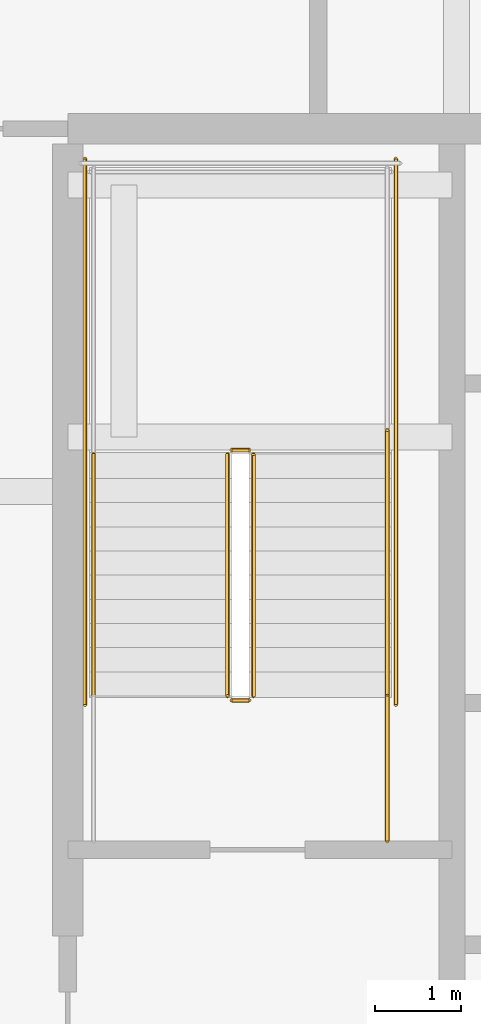
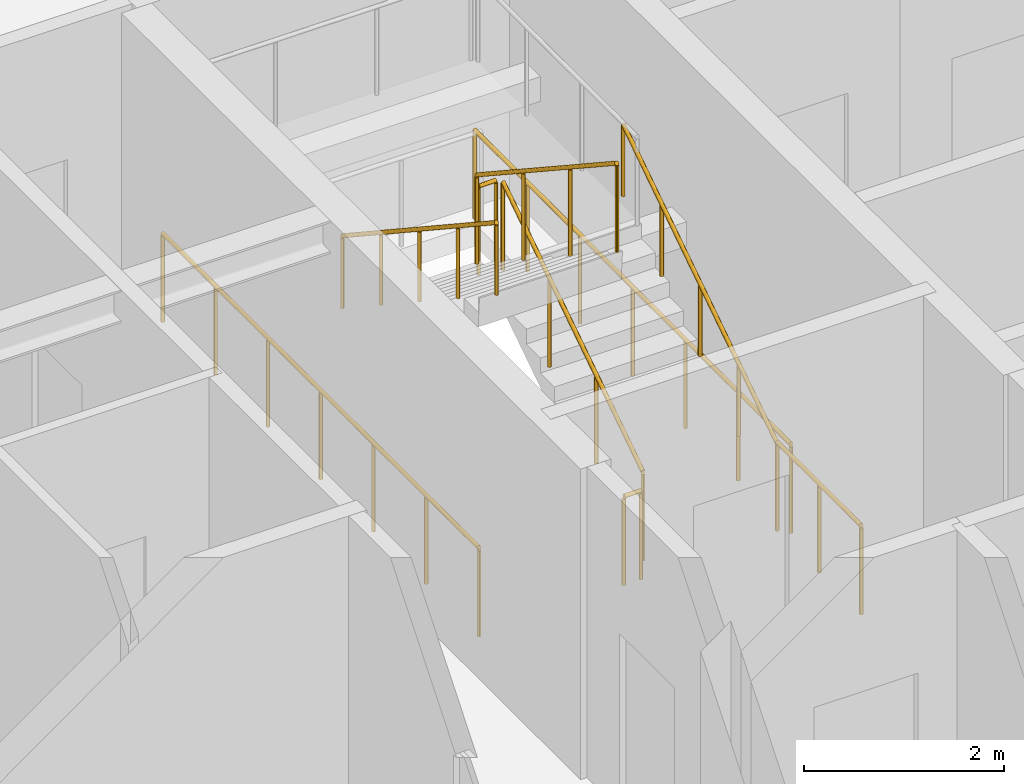
# One storey, part 34 of 37: 9 railings.
"""IFC4 building model written with IfcOpenShell, lengths in metres."""

import ifcopenshell
import ifcopenshell.guid

model = None  # the IFC model being written
_history = None  # IfcOwnerHistory: only IFC2X3 demands one
_inside = {}  # id of a spatial element -> (the spatial element, [elements in it])
_under = {}  # id of a project, library or spatial element -> (it, [spatial elements below it])
_declared = {}  # id of a project -> (the project, [libraries it declares])
_typed = {}  # id of a type object -> (the type object, [elements of that type])
_made_of = {}  # id of a material, layer set ... -> (it, [elements and type objects made of it])


def new_model(schema):
    """Start an empty IFC model of exactly this schema.

    Asked for "IFC4X3", IfcOpenShell would pick the latest addendum, in which some entities
    have other attributes; the version numbers below select the first issue.
    IFC2X3 requires an IfcOwnerHistory on every rooted entity: one is made here for all.
    """
    global model, _history
    if schema == "IFC4X3":
        model = ifcopenshell.file(schema_version=(4, 3, 0, 0))
    else:
        model = ifcopenshell.file(schema=schema)
    _inside.clear()
    _under.clear()
    _declared.clear()
    _typed.clear()
    _made_of.clear()
    _history = None
    if model.schema == "IFC2X3":
        org = make("IfcOrganization", Name="unknown")
        user = make(
            "IfcPersonAndOrganization",
            ThePerson=make("IfcPerson", FamilyName="unknown"),
            TheOrganization=org,
        )
        app = make(
            "IfcApplication",
            ApplicationDeveloper=org,
            Version="unknown",
            ApplicationFullName="unknown",
            ApplicationIdentifier="unknown",
        )
        _history = make(
            "IfcOwnerHistory",
            OwningUser=user,
            OwningApplication=app,
            ChangeAction="ADDED",
            CreationDate=0,
        )
    return model


def make(cls, **values):
    """One entity of the class cls with the attributes given. An attribute that is None is left unset."""
    return model.create_entity(
        cls, **{name: value for name, value in values.items() if value is not None}
    )


def rooted(cls, **values):
    """An entity with a GlobalId (a new one), such as an element, a storey or a relation."""
    return make(cls, GlobalId=ifcopenshell.guid.new(), OwnerHistory=_history, **values)


def si_unit(unit_type, name, prefix=None):
    """IfcSIUnit, for example si_unit("LENGTHUNIT", "METRE", prefix="MILLI")."""
    return make("IfcSIUnit", UnitType=unit_type, Prefix=prefix, Name=name)


def assignment(units):
    """IfcUnitAssignment: the units of a project."""
    return None if units is None else make("IfcUnitAssignment", Units=units)


def point(xyz):
    """IfcCartesianPoint."""
    return None if xyz is None else make("IfcCartesianPoint", Coordinates=xyz)


def direction(xyz):
    """IfcDirection."""
    return None if xyz is None else make("IfcDirection", DirectionRatios=xyz)


def frame(location, z_axis=None, x_axis=None):
    """IfcAxis2Placement3D, a coordinate frame: its origin and axes. An axis left out is left unset."""
    return make(
        "IfcAxis2Placement3D",
        Location=point(location),
        Axis=direction(z_axis),
        RefDirection=direction(x_axis),
    )


def frame_2d(location, x_axis=None):
    """IfcAxis2Placement2D, a coordinate frame in the plane: its origin and x axis."""
    return make(
        "IfcAxis2Placement2D", Location=point(location), RefDirection=direction(x_axis)
    )


def origin():
    """The frame at (0, 0, 0) with its axes left unset."""
    return frame((0.0, 0.0, 0.0))


def origin_2d():
    """The frame at (0, 0) in the plane with its x axis left unset."""
    return frame_2d((0.0, 0.0))


def place(relative_to, where):
    """IfcLocalPlacement: puts the frame where relative to a parent placement (None: the world)."""
    return make(
        "IfcLocalPlacement", PlacementRelTo=relative_to, RelativePlacement=where
    )


def context(
    kind, dimensions, precision=None, world=None, true_north=None, identifier=None
):
    """IfcGeometricRepresentationContext, for example the 3D "Model" context."""
    return make(
        "IfcGeometricRepresentationContext",
        ContextIdentifier=identifier,
        ContextType=kind,
        CoordinateSpaceDimension=dimensions,
        Precision=precision,
        WorldCoordinateSystem=world,
        TrueNorth=true_north,
    )


def subcontext(parent, identifier, kind, view, scale=None):
    """IfcGeometricRepresentationSubContext, for example "Body" below "Model"."""
    return make(
        "IfcGeometricRepresentationSubContext",
        ContextIdentifier=identifier,
        ContextType=kind,
        ParentContext=parent,
        TargetScale=scale,
        TargetView=view,
    )


def project(units=None, contexts=None):
    """IfcProject with its units and contexts."""
    return rooted(
        "IfcProject",
        Name="project",
        RepresentationContexts=contexts,
        UnitsInContext=assignment(units),
    )


def spatial(cls, under=None, at=None, **own):
    """A site, building, storey or space (cls), placed at a placement, below another one or the project."""
    s = rooted(cls, ObjectPlacement=at, **own)
    if under is not None:
        _under.setdefault(under.id(), (under, []))[1].append(s)
    return s


def profile(cls, at=None, kind="AREA", **sizes):
    """A parametric profile (cls). Its sizes go by their IFC names, for example OverallWidth=200.0."""
    return make(cls, ProfileType=kind, Position=at, **sizes)


def circle(**sizes):
    """IfcCircleProfileDef."""
    return profile("IfcCircleProfileDef", **sizes)


def extrude(swept, where, along, depth):
    """IfcExtrudedAreaSolid: the profile swept, set in the frame where, extruded along a direction by depth."""
    return make(
        "IfcExtrudedAreaSolid",
        SweptArea=swept,
        Position=where,
        ExtrudedDirection=direction(along),
        Depth=depth,
    )


def shape(context_of_items, identifier, shape_type, items):
    """IfcShapeRepresentation: the items that make up one representation, for example the "Body"."""
    return make(
        "IfcShapeRepresentation",
        ContextOfItems=context_of_items,
        RepresentationIdentifier=identifier,
        RepresentationType=shape_type,
        Items=items,
    )


def material(Name=None, Category=None):
    """IfcMaterial."""
    return make("IfcMaterial", Name=Name, Category=Category)


def made_of(thing, what):
    """Note that an element or type object is made of a material, layer set ...; save() writes the relation."""
    if what is not None:
        _made_of.setdefault(what.id(), (what, []))[1].append(thing)
    return thing


def type_object(cls, material=None, **own):
    """A type object (cls), such as IfcWallType, which elements share."""
    return made_of(rooted(cls, **own), material)


def element(
    cls,
    number,
    at=None,
    inside=None,
    cuts=None,
    type_object=None,
    material=None,
    context=None,
    identifier="Body",
    shape_type=None,
    held_by="IfcProductDefinitionShape",
    body=None,
    shapes=None,
    **own,
):
    """One element of the class cls, such as IfcWall. Its Tag is "e" and its number.

    at: its placement. inside: the storey or other place that contains it. cuts: it is an
    opening in that element (IfcRelVoidsElement). A single representation is given by context,
    identifier, shape_type and body (its items); several are given by shapes. held_by: the class
    of the entity that holds the representations. save() writes the other relations.
    """
    e = rooted(cls, Tag="e%d" % number, ObjectPlacement=at, **own)
    if body is not None:
        shapes = [shape(context, identifier, shape_type, body)]
    if shapes is not None:
        e.Representation = make(held_by, Representations=shapes)
    if inside is not None:
        _inside.setdefault(inside.id(), (inside, []))[1].append(e)
    if cuts is not None:
        rooted(
            "IfcRelVoidsElement", RelatingBuildingElement=cuts, RelatedOpeningElement=e
        )
    if type_object is not None:
        _typed.setdefault(type_object.id(), (type_object, []))[1].append(e)
    return made_of(e, material)


def aggregate(whole, parts):
    """IfcRelAggregates: a whole, such as a stair, and the parts it consists of."""
    return rooted("IfcRelAggregates", RelatingObject=whole, RelatedObjects=parts)


def save(model, path):
    """Write the relations noted so far, then the file.

    IfcRelAggregates (storeys below a building ...), IfcRelContainedInSpatialStructure (elements
    in a storey), IfcRelDefinesByType, IfcRelAssociatesMaterial and IfcRelDeclares: one each for
    every whole, place, type object, material and project.
    """
    for whole, parts in _under.values():
        aggregate(whole, parts)
    for where, things in _inside.values():
        rooted(
            "IfcRelContainedInSpatialStructure",
            RelatedElements=things,
            RelatingStructure=where,
        )
    for kind, things in _typed.values():
        rooted("IfcRelDefinesByType", RelatedObjects=things, RelatingType=kind)
    for what, things in _made_of.values():
        rooted("IfcRelAssociatesMaterial", RelatedObjects=things, RelatingMaterial=what)
    for by, libraries in _declared.values():
        rooted("IfcRelDeclares", RelatingContext=by, RelatedDefinitions=libraries)
    model.write(path)


model = new_model("IFC4")

# Units and contexts
model_context = context("Model", 3, precision=1e-05, world=origin(), true_north=direction((0.0, 1.0)))
body_context = subcontext(model_context, "Body", "Model", "MODEL_VIEW")
ifc_project = project(units=[si_unit("LENGTHUNIT", "METRE"), si_unit("AREAUNIT", "SQUARE_METRE"), si_unit("VOLUMEUNIT", "CUBIC_METRE"), si_unit("PLANEANGLEUNIT", "RADIAN"), si_unit("MASSUNIT", "GRAM", prefix="KILO")], contexts=[model_context])

# Site, building, storey
site_placement = place(None, origin())
site = spatial("IfcSite", under=ifc_project, at=site_placement, CompositionType="ELEMENT")
building_placement = place(site_placement, origin())
building = spatial("IfcBuilding", under=site, at=building_placement, Name="Serunith Strait Residences", CompositionType="ELEMENT")
storey_placement = place(building_placement, frame((0.0, 0.0, 305.60009765625)))
storey = spatial("IfcBuildingStorey", under=building, at=storey_placement, Name="L76", CompositionType="ELEMENT", Elevation=305.60009765625)

# Railings
ifc_material = material(Name="Brushed stainless steel 316L", Category="steel")
railing_type_1 = type_object("IfcRailingType", Name="RLG-STAIR-GUARD", PredefinedType="BALUSTRADE", material=ifc_material)
railing_1_placement = place(storey_placement, frame((25.550048828125, 27.030029296875, 0.18408203125)))
element("IfcRailing", 1, at=railing_1_placement, inside=storey, type_object=railing_type_1, Name="L76 ST-1 stair guard 1", PredefinedType="BALUSTRADE", context=body_context, shape_type="SweptSolid", body=[
    extrude(circle(Radius=0.02392578125, at=origin_2d()), frame((0.0, 0.001708984375, 1.0771484375), z_axis=(0.0, 0.835597507184, 0.549342157483), x_axis=(-1.0, 0.0, 0.0)), (0.0, 0.0, 1.0), 3.346923828125),
    extrude(circle(Radius=0.02099609375, at=origin_2d()), origin(), (0.0, 0.0, 1.0), 1.050048828125),
    extrude(circle(Radius=0.02099609375, at=origin_2d()), frame((0.0, 0.933349609375, 0.613525390625)), (0.0, 0.0, 1.0), 1.050048828125),
    extrude(circle(Radius=0.02099609375, at=origin_2d()), frame((0.0, 1.86669921875, 1.227294921875)), (0.0, 0.0, 1.0), 1.050048828125),
    extrude(circle(Radius=0.02099609375, at=origin_2d()), frame((0.0, 2.800048828125, 1.8408203125)), (0.0, 0.0, 1.0), 1.050048828125),
])
railing_2_placement = place(storey_placement, frame((25.5, 29.8798828125, 2.02490234375)))
element("IfcRailing", 2, at=railing_2_placement, inside=storey, type_object=railing_type_1, Name="L76 ST-1 stair guard 2", PredefinedType="BALUSTRADE", context=body_context, shape_type="SweptSolid", body=[
    extrude(circle(Radius=0.02392578125, at=origin_2d()), frame((-0.001953125, 0.0, 1.076171875), z_axis=(-1.0, 0.0, 0.0), x_axis=(0.0, -1.0, 0.0)), (0.0, 0.0, 1.0), 0.196044921875),
    extrude(circle(Radius=0.02099609375, at=origin_2d()), origin(), (0.0, 0.0, 1.0), 1.050048828125),
    extrude(circle(Radius=0.02099609375, at=origin_2d()), frame((-0.199951171875, 0.0, 0.0)), (0.0, 0.0, 1.0), 1.050048828125),
])
railing_3_placement = place(storey_placement, frame((25.25, 29.830078125, 2.208984375)))
element("IfcRailing", 3, at=railing_3_placement, inside=storey, type_object=railing_type_1, Name="L76 ST-1 stair guard 6", PredefinedType="BALUSTRADE", context=body_context, shape_type="SweptSolid", body=[
    extrude(circle(Radius=0.02392578125, at=origin_2d()), frame((0.0, -0.001708984375, 1.0771484375), z_axis=(0.0, -0.835597507184, 0.549342157483), x_axis=(1.0, 0.0, 0.0)), (0.0, 0.0, 1.0), 3.346923828125),
    extrude(circle(Radius=0.02099609375, at=origin_2d()), origin(), (0.0, 0.0, 1.0), 1.050048828125),
    extrude(circle(Radius=0.02099609375, at=origin_2d()), frame((0.0, -0.933349609375, 0.613525390625)), (0.0, 0.0, 1.0), 1.050048828125),
    extrude(circle(Radius=0.02099609375, at=origin_2d()), frame((0.0, -1.86669921875, 1.227294921875)), (0.0, 0.0, 1.0), 1.050048828125),
    extrude(circle(Radius=0.02099609375, at=origin_2d()), frame((0.0, -2.800048828125, 1.8408203125)), (0.0, 0.0, 1.0), 1.050048828125),
])
railing_4_placement = place(storey_placement, frame((25.5, 26.97998046875, 0.0)))
element("IfcRailing", 4, at=railing_4_placement, inside=storey, type_object=railing_type_1, Name="L76 ST-1 stair guard 7", PredefinedType="BALUSTRADE", context=body_context, shape_type="SweptSolid", body=[
    extrude(circle(Radius=0.02392578125, at=origin_2d()), frame((-0.001953125, 0.0, 1.076171875), z_axis=(-1.0, 0.0, 0.0), x_axis=(0.0, -1.0, 0.0)), (0.0, 0.0, 1.0), 0.196044921875),
    extrude(circle(Radius=0.02099609375, at=origin_2d()), origin(), (0.0, 0.0, 1.0), 1.050048828125),
    extrude(circle(Radius=0.02099609375, at=origin_2d()), frame((-0.199951171875, 0.0, 0.0)), (0.0, 0.0, 1.0), 1.050048828125),
])
railing_5_placement = place(storey_placement, frame((27.10009765625, 25.35009765625, 0.0)))
element("IfcRailing", 5, at=railing_5_placement, inside=storey, type_object=railing_type_1, Name="L76 ST-1 stair guard 8", PredefinedType="BALUSTRADE", context=body_context, shape_type="SweptSolid", body=[
    extrude(circle(Radius=0.02392578125, at=origin_2d()), frame((0.0, 0.001953125, 1.076171875), z_axis=(0.0, 1.0, 0.0), x_axis=(-1.0, 0.0, 0.0)), (0.0, 0.0, 1.0), 1.676025390625),
    extrude(circle(Radius=0.02099609375, at=origin_2d()), origin(), (0.0, 0.0, 1.0), 1.050048828125),
    extrude(circle(Radius=0.02099609375, at=origin_2d()), frame((0.0, 0.83984375, 0.0)), (0.0, 0.0, 1.0), 1.050048828125),
    extrude(circle(Radius=0.02099609375, at=origin_2d()), frame((0.0, 1.679931640625, 0.0)), (0.0, 0.0, 1.0), 1.050048828125),
])
for number, where, name in (
    (6, (27.199951171875, 26.929931640625, 0.0), "L76 ST-1 stair guard 10"),
    (7, (23.60009765625, 26.929931640625, 0.0), "L76 ST-1 stair guard 11"),
):
    element("IfcRailing", number, at=place(storey_placement, frame(where)), inside=storey, type_object=railing_type_1, Name=name, PredefinedType="BALUSTRADE", context=body_context, shape_type="SweptSolid", body=[
        extrude(circle(Radius=0.02392578125, at=origin_2d()), frame((0.0, 0.001953125, 1.076171875), z_axis=(0.0, 1.0, 0.0), x_axis=(-1.0, 0.0, 0.0)), (0.0, 0.0, 1.0), 6.316162109375),
        extrude(circle(Radius=0.02099609375, at=origin_2d()), origin(), (0.0, 0.0, 1.0), 1.050048828125),
        extrude(circle(Radius=0.02099609375, at=origin_2d()), frame((0.0, 1.05322265625, 0.0)), (0.0, 0.0, 1.0), 1.050048828125),
        extrude(circle(Radius=0.02099609375, at=origin_2d()), frame((0.0, 2.106689453125, 0.0)), (0.0, 0.0, 1.0), 1.050048828125),
        extrude(circle(Radius=0.02099609375, at=origin_2d()), frame((0.0, 3.16015625, 0.0)), (0.0, 0.0, 1.0), 1.050048828125),
        extrude(circle(Radius=0.02099609375, at=origin_2d()), frame((0.0, 4.21337890625, 0.0)), (0.0, 0.0, 1.0), 1.050048828125),
        extrude(circle(Radius=0.02099609375, at=origin_2d()), frame((0.0, 5.2666015625, 0.0)), (0.0, 0.0, 1.0), 1.050048828125),
        extrude(circle(Radius=0.02099609375, at=origin_2d()), frame((0.0, 6.320068359375, 0.0)), (0.0, 0.0, 1.0), 1.050048828125),
    ])
railing_type_2 = type_object("IfcRailingType", Name="RLG-STAIR-HR", PredefinedType="HANDRAIL", material=ifc_material)
railing_6_placement = place(storey_placement, frame((27.10009765625, 27.030029296875, 0.18408203125)))
element("IfcRailing", 8, at=railing_6_placement, inside=storey, type_object=railing_type_2, Name="L76 ST-1 stair handrail 1", PredefinedType="HANDRAIL", context=body_context, shape_type="SweptSolid", body=[
    extrude(circle(Radius=0.02392578125, at=origin_2d()), frame((0.0, 0.001708984375, 0.876953125), z_axis=(0.0, 0.83496096917, 0.550309167616), x_axis=(-1.0, 0.0, 0.0)), (0.0, 0.0, 1.0), 3.684814453125),
    extrude(circle(Radius=0.02099609375, at=origin_2d()), origin(), (0.0, 0.0, 1.0), 0.849853515625),
    extrude(circle(Radius=0.02099609375, at=origin_2d()), frame((0.0, 0.77001953125, 0.507568359375)), (0.0, 0.0, 1.0), 0.849853515625),
    extrude(circle(Radius=0.02099609375, at=origin_2d()), frame((0.0, 1.5400390625, 1.01513671875)), (0.0, 0.0, 1.0), 0.849853515625),
    extrude(circle(Radius=0.02099609375, at=origin_2d()), frame((0.0, 2.31005859375, 1.5224609375)), (0.0, 0.0, 1.0), 0.849853515625),
    extrude(circle(Radius=0.02099609375, at=origin_2d()), frame((0.0, 3.080078125, 2.030029296875)), (0.0, 0.0, 1.0), 0.849853515625),
])
railing_7_placement = place(storey_placement, frame((23.699951171875, 29.830078125, 2.208984375)))
element("IfcRailing", 9, at=railing_7_placement, inside=storey, type_object=railing_type_2, Name="L76 ST-1 stair handrail 2", PredefinedType="HANDRAIL", context=body_context, shape_type="SweptSolid", body=[
    extrude(circle(Radius=0.02392578125, at=origin_2d()), frame((0.0, -0.001708984375, 0.876953125), z_axis=(0.0, -0.83496096917, 0.550309167616), x_axis=(1.0, 0.0, 0.0)), (0.0, 0.0, 1.0), 3.684814453125),
    extrude(circle(Radius=0.02099609375, at=origin_2d()), origin(), (0.0, 0.0, 1.0), 0.849853515625),
    extrude(circle(Radius=0.02099609375, at=origin_2d()), frame((0.0, -0.77001953125, 0.507568359375)), (0.0, 0.0, 1.0), 0.849853515625),
    extrude(circle(Radius=0.02099609375, at=origin_2d()), frame((0.0, -1.5400390625, 1.01513671875)), (0.0, 0.0, 1.0), 0.849853515625),
    extrude(circle(Radius=0.02099609375, at=origin_2d()), frame((0.0, -2.31005859375, 1.5224609375)), (0.0, 0.0, 1.0), 0.849853515625),
    extrude(circle(Radius=0.02099609375, at=origin_2d()), frame((0.0, -3.080078125, 2.030029296875)), (0.0, 0.0, 1.0), 0.849853515625),
])

save(model, "model.ifc")
